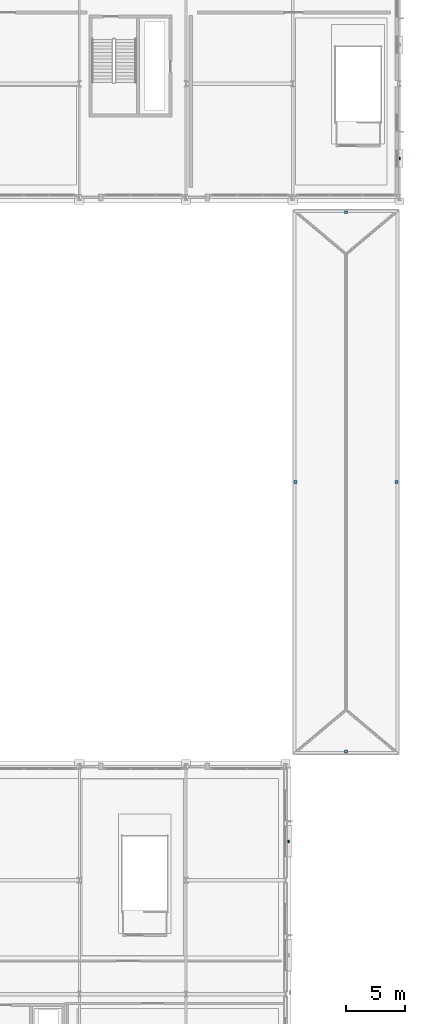
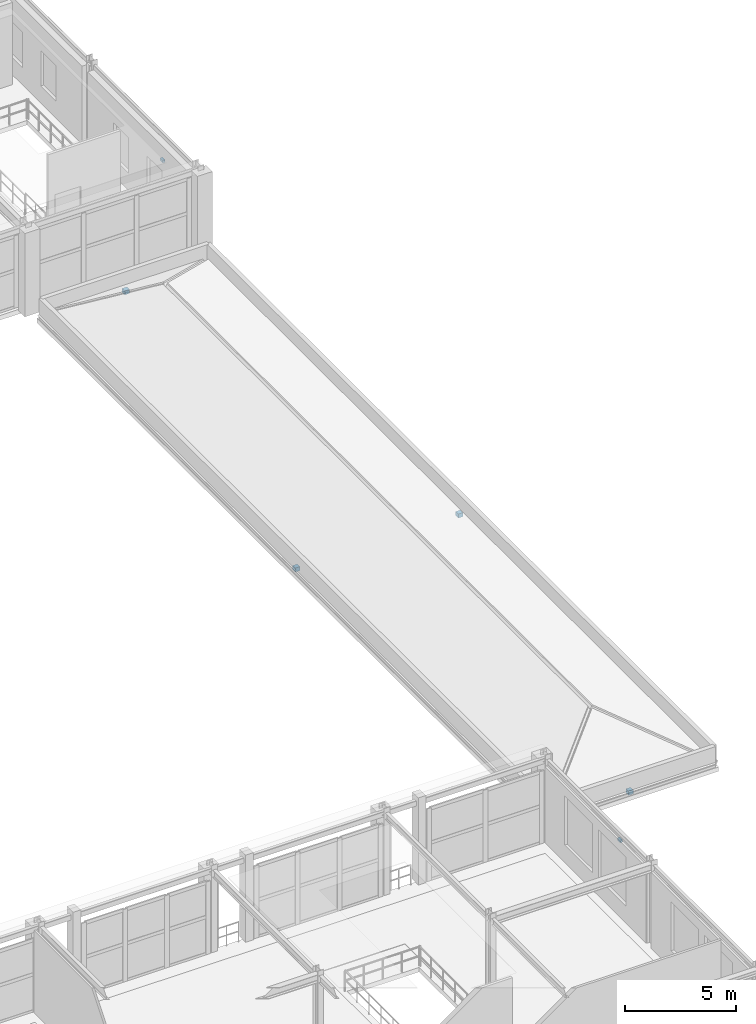
# One storey, part 90 of 125: 6 discrete accessories.
"""IFC4 building model written with IfcOpenShell, lengths in metres."""

from ifc_helpers import new_model, si_unit, direction, frame, origin, origin_2d, place, context, subcontext, project, spatial, rectangle, extrude, material, type_object, element, save


model = new_model("IFC4")

# Units and contexts
model_context = context("Model", 3, precision=1e-05, world=origin(), true_north=direction((0.0, 1.0)))
body_context = subcontext(model_context, "Body", "Model", "MODEL_VIEW")
ifc_project = project(units=[si_unit("LENGTHUNIT", "METRE"), si_unit("AREAUNIT", "SQUARE_METRE"), si_unit("VOLUMEUNIT", "CUBIC_METRE"), si_unit("PLANEANGLEUNIT", "RADIAN"), si_unit("MASSUNIT", "GRAM", prefix="KILO")], contexts=[model_context])

# Site, building, storey
site_placement = place(None, origin())
site = spatial("IfcSite", under=ifc_project, at=site_placement, CompositionType="ELEMENT")
building_placement = place(site_placement, origin())
building = spatial("IfcBuilding", under=site, at=building_placement, Name="Myrtia Square Station", CompositionType="ELEMENT")
storey_placement = place(building_placement, frame((0.0, 0.0, 6.0)))
storey = spatial("IfcBuildingStorey", under=building, at=storey_placement, Name="L01", CompositionType="ELEMENT", Elevation=6.0)

# Discrete accessories
ifc_material = material(Name="Steel S355", Category="steel")
discrete_accessory_type_1 = type_object("IfcDiscreteAccessoryType", Name="ACC-BRACKET-BRONZE", PredefinedType="BRACKET", material=ifc_material)
for number, where, z_axis, x_axis, name in (
    (1, (179.6298828125, 32.076904296875, 3.6298828125), (0.0, 0.0, 1.0), (0.0, 1.0, 0.0), "Solar shading fixing bracket 030"),
    (2, (189.030029296875, 89.68505859375, 2.8798828125), (0.0, 0.0, 1.0), (0.0, 1.0, 0.0), "Solar shading fixing bracket 051"),
):
    element("IfcDiscreteAccessory", number, at=place(storey_placement, frame(where, z_axis=z_axis, x_axis=x_axis)), inside=storey, type_object=discrete_accessory_type_1, Name=name, PredefinedType="BRACKET", context=body_context, shape_type="SweptSolid", body=[
        extrude(rectangle(XDim=0.239990234375, YDim=0.1201171875, at=origin_2d()), origin(), (0.0, 0.0, 1.0), 0.139892578125),
    ])
discrete_accessory_type_2 = type_object("IfcDiscreteAccessoryType", Name="ACC-HIP-SHOE", PredefinedType="BRACKET", material=ifc_material)
for number, where, z_axis, x_axis, name in (
    (3, (180.25, 62.39990234375, -0.02978515625), (0.0, 0.0, 1.0), (1.0, 0.0, 0.0), "Hipped roof eave shoe bracket HIP-V3-W"),
    (4, (188.75, 62.39990234375, -0.02978515625), (0.0, 0.0, 1.0), (1.0, 0.0, 0.0), "Hipped roof eave shoe bracket HIP-V3-E"),
    (5, (184.5, 39.64990234375, -0.02978515625), (0.0, 0.0, 1.0), (1.0, 0.0, 0.0), "Hipped roof eave shoe bracket HIP-V3-S"),
    (6, (184.5, 85.14990234375, -0.02978515625), (0.0, 0.0, 1.0), (1.0, 0.0, 0.0), "Hipped roof eave shoe bracket HIP-V3-N"),
):
    element("IfcDiscreteAccessory", number, at=place(storey_placement, frame(where, z_axis=z_axis, x_axis=x_axis)), inside=storey, type_object=discrete_accessory_type_2, Name=name, PredefinedType="BRACKET", context=body_context, shape_type="SweptSolid", body=[
        extrude(rectangle(XDim=0.239990234375, YDim=0.239990234375, at=origin_2d()), origin(), (0.0, 0.0, 1.0), 0.219970703125),
    ])

save(model, "model.ifc")
